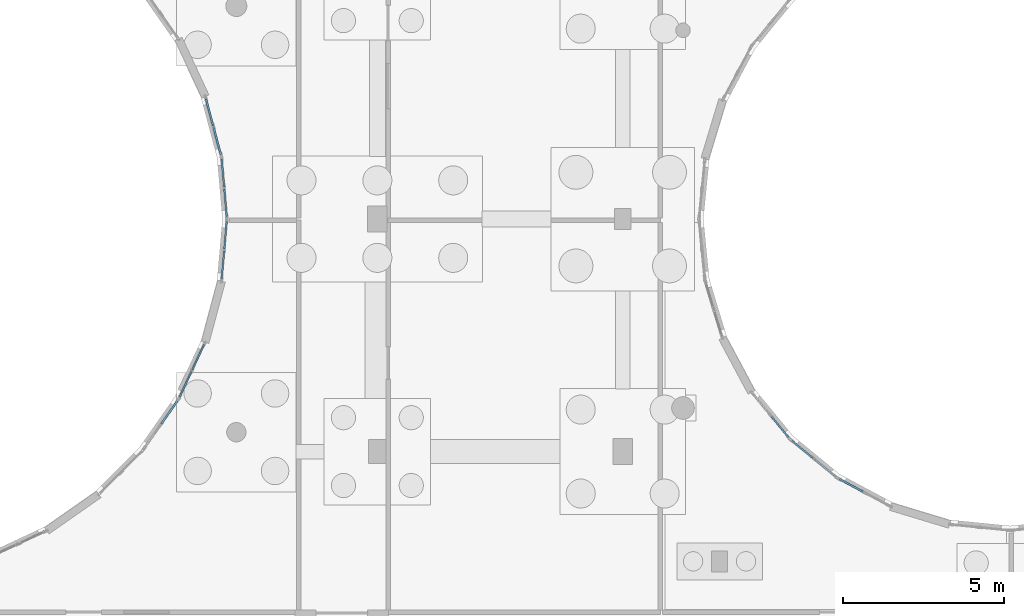
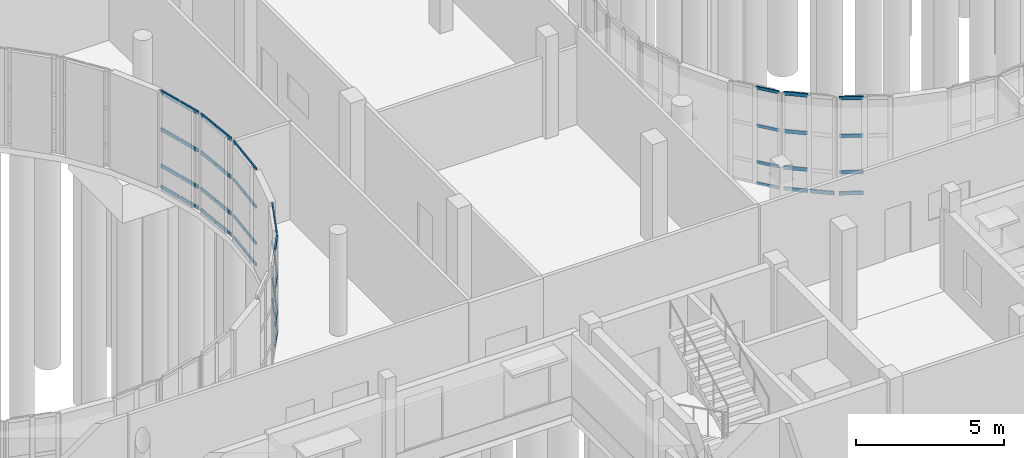
# One storey, part 41 of 93: 49 members, 8 elements without a shape of their own.
"""IFC4 building model written with IfcOpenShell, lengths in metres."""

from ifc_helpers import new_model, si_unit, direction, frame, origin, origin_2d, place, context, subcontext, project, spatial, hollow_rectangle, extrude, material, layer, layer_set, material_profile, profile_set, type_object, element, aggregate, save


model = new_model("IFC4")

# Units and contexts
model_context = context("Model", 3, precision=1e-05, world=origin(), true_north=direction((0.0, 1.0)))
body_context = subcontext(model_context, "Body", "Model", "MODEL_VIEW")
ifc_project = project(units=[si_unit("LENGTHUNIT", "METRE"), si_unit("AREAUNIT", "SQUARE_METRE"), si_unit("VOLUMEUNIT", "CUBIC_METRE"), si_unit("PLANEANGLEUNIT", "RADIAN"), si_unit("MASSUNIT", "GRAM", prefix="KILO")], contexts=[model_context])

# Site, building, storey
site_placement = place(None, origin())
site = spatial("IfcSite", under=ifc_project, at=site_placement, CompositionType="ELEMENT")
building_placement = place(site_placement, origin())
building = spatial("IfcBuilding", under=site, at=building_placement, Name="Kelanivale Promenade Academy", CompositionType="ELEMENT")
storey_placement = place(building_placement, origin())
storey = spatial("IfcBuildingStorey", under=building, at=storey_placement, Name="L00", CompositionType="ELEMENT", Elevation=0.0)

# Curtain wall, members
ifc_material_1 = material(Name="Bronze anodised aluminium and solar-control low-E glass", Category="aluminium")
ifc_layer_1 = layer(ifc_material_1, 0.169921875)
ifc_layer_set_1 = layer_set([ifc_layer_1], Name="Bronze anodised aluminium and solar-control low-E glass")
curtain_wall_type_1 = type_object("IfcCurtainWallType", Name="CW-01 Curtain Wall 1350mm Module", PredefinedType="USERDEFINED", material=ifc_layer_set_1)
curtain_wall_1_placement = place(storey_placement, origin())
curtain_wall_1 = element("IfcCurtainWall", 1, at=curtain_wall_1_placement, inside=storey, type_object=curtain_wall_type_1, Name="L00 courtyard curtain wall CW-01", ObjectType="UNITISED GLAZING", PredefinedType="USERDEFINED")
ifc_material_2 = material(Name="Bronze anodised aluminium EN AW-6063 T6", Category="aluminium")
ifc_material_profile_1 = material_profile(ifc_material_2, hollow_rectangle(XDim=0.050048828125, YDim=0.10009765625, WallThickness=0.0029296875, at=origin_2d()), Name="ALU 50x100x3.0")
ifc_profile_set_1 = profile_set([ifc_material_profile_1], Name="Bronze anodised aluminium EN AW-6063 T6")
member_type_1 = type_object("IfcMemberType", Name="CWT-01 ALU 50x100x3.0", PredefinedType="USERDEFINED", material=ifc_profile_set_1)
member_1_placement = place(storey_placement, frame((73.078369140625, 51.29541015625, 0.02490234375), z_axis=(0.423133693303, 0.906067258868, 0.0), x_axis=(-0.906067258868, 0.423133693303, 0.0)))
member_1 = element("IfcMember", 2, at=member_1_placement, type_object=member_type_1, Name="CW-01 transom 1.1", ObjectType="TRANSOM", PredefinedType="USERDEFINED", context=body_context, shape_type="SweptSolid", body=[
    extrude(hollow_rectangle(XDim=0.050048828125, YDim=0.10009765625, WallThickness=0.0029296875, at=origin_2d()), origin(), (0.0, 0.0, 1.0), 0.861328125),
])
member_2_placement = place(storey_placement, frame((73.078369140625, 51.29541015625, 0.89990234375), z_axis=(0.423133693303, 0.906067258868, 0.0), x_axis=(-0.906067258868, 0.423133693303, 0.0)))
member_2 = element("IfcMember", 3, at=member_2_placement, type_object=member_type_1, Name="CW-01 transom 1.2", ObjectType="TRANSOM", PredefinedType="USERDEFINED", context=body_context, shape_type="SweptSolid", body=[
    extrude(hollow_rectangle(XDim=0.050048828125, YDim=0.10009765625, WallThickness=0.0029296875, at=origin_2d()), origin(), (0.0, 0.0, 1.0), 0.861328125),
])
member_3_placement = place(storey_placement, frame((73.078369140625, 51.29541015625, 2.39990234375), z_axis=(0.423133693303, 0.906067258868, 0.0), x_axis=(-0.906067258868, 0.423133693303, 0.0)))
member_3 = element("IfcMember", 4, at=member_3_placement, type_object=member_type_1, Name="CW-01 transom 1.3", ObjectType="TRANSOM", PredefinedType="USERDEFINED", context=body_context, shape_type="SweptSolid", body=[
    extrude(hollow_rectangle(XDim=0.050048828125, YDim=0.10009765625, WallThickness=0.0029296875, at=origin_2d()), origin(), (0.0, 0.0, 1.0), 0.861328125),
])
member_4_placement = place(storey_placement, frame((73.078369140625, 51.29541015625, 3.955078125), z_axis=(0.423133693303, 0.906067258868, 0.0), x_axis=(-0.906067258868, 0.423133693303, 0.0)))
member_4 = element("IfcMember", 5, at=member_4_placement, type_object=member_type_1, Name="CW-01 transom 1.4", ObjectType="TRANSOM", PredefinedType="USERDEFINED", context=body_context, shape_type="SweptSolid", body=[
    extrude(hollow_rectangle(XDim=0.050048828125, YDim=0.10009765625, WallThickness=0.0029296875, at=origin_2d()), origin(), (0.0, 0.0, 1.0), 0.861328125),
])
member_5_placement = place(storey_placement, frame((73.46826171875, 52.130126953125, 0.02490234375), z_axis=(0.422900982369, 0.906175898549, 0.0), x_axis=(-0.906175898549, 0.422900982369, 0.0)))
member_5 = element("IfcMember", 6, at=member_5_placement, type_object=member_type_1, Name="CW-01 transom 2.1", ObjectType="TRANSOM", PredefinedType="USERDEFINED", context=body_context, shape_type="SweptSolid", body=[
    extrude(hollow_rectangle(XDim=0.050048828125, YDim=0.10009765625, WallThickness=0.0029296875, at=origin_2d()), origin(), (0.0, 0.0, 1.0), 0.861328125),
])
member_6_placement = place(storey_placement, frame((73.46826171875, 52.130126953125, 0.89990234375), z_axis=(0.422900982369, 0.906175898549, 0.0), x_axis=(-0.906175898549, 0.422900982369, 0.0)))
member_6 = element("IfcMember", 7, at=member_6_placement, type_object=member_type_1, Name="CW-01 transom 2.2", ObjectType="TRANSOM", PredefinedType="USERDEFINED", context=body_context, shape_type="SweptSolid", body=[
    extrude(hollow_rectangle(XDim=0.050048828125, YDim=0.10009765625, WallThickness=0.0029296875, at=origin_2d()), origin(), (0.0, 0.0, 1.0), 0.861328125),
])
member_7_placement = place(storey_placement, frame((73.46826171875, 52.130126953125, 2.39990234375), z_axis=(0.422900982369, 0.906175898549, 0.0), x_axis=(-0.906175898549, 0.422900982369, 0.0)))
member_7 = element("IfcMember", 8, at=member_7_placement, type_object=member_type_1, Name="CW-01 transom 2.3", ObjectType="TRANSOM", PredefinedType="USERDEFINED", context=body_context, shape_type="SweptSolid", body=[
    extrude(hollow_rectangle(XDim=0.050048828125, YDim=0.10009765625, WallThickness=0.0029296875, at=origin_2d()), origin(), (0.0, 0.0, 1.0), 0.861328125),
])
member_8_placement = place(storey_placement, frame((73.46826171875, 52.130126953125, 3.955078125), z_axis=(0.422900982369, 0.906175898549, 0.0), x_axis=(-0.906175898549, 0.422900982369, 0.0)))
member_8 = element("IfcMember", 9, at=member_8_placement, type_object=member_type_1, Name="CW-01 transom 2.4", ObjectType="TRANSOM", PredefinedType="USERDEFINED", context=body_context, shape_type="SweptSolid", body=[
    extrude(hollow_rectangle(XDim=0.050048828125, YDim=0.10009765625, WallThickness=0.0029296875, at=origin_2d()), origin(), (0.0, 0.0, 1.0), 0.861328125),
])
aggregate(curtain_wall_1, [member_1, member_2, member_3, member_4, member_5, member_6, member_7, member_8])

ifc_layer_2 = layer(ifc_material_1, 0.179931640625)
ifc_layer_set_2 = layer_set([ifc_layer_2], Name="Bronze anodised aluminium and solar-control low-E glass")
curtain_wall_type_2 = type_object("IfcCurtainWallType", Name="CW-14 Curtain Wall 1500mm Module", PredefinedType="USERDEFINED", material=ifc_layer_set_2)
curtain_wall_2_placement = place(storey_placement, origin())
curtain_wall_2 = element("IfcCurtainWall", 10, at=curtain_wall_2_placement, inside=storey, type_object=curtain_wall_type_2, Name="L00 courtyard curtain wall CW-14", ObjectType="COURTYARD SCREEN GLAZING", PredefinedType="USERDEFINED")
ifc_material_profile_2 = material_profile(ifc_material_2, hollow_rectangle(XDim=0.050048828125, YDim=0.1201171875, WallThickness=0.0029296875, at=origin_2d()), Name="ALU 50x120x3.0")
ifc_profile_set_2 = profile_set([ifc_material_profile_2], Name="Bronze anodised aluminium EN AW-6063 T6")
member_type_2 = type_object("IfcMemberType", Name="CWT-02 ALU 50x120x3.0", PredefinedType="USERDEFINED", material=ifc_profile_set_2)
member_9_placement = place(storey_placement, frame((91.407470703125, 50.683837890625, 0.02490234375), z_axis=(0.634114614295, -0.773239067778, 0.0), x_axis=(0.773239067778, 0.634114614295, 0.0)))
member_9 = element("IfcMember", 11, at=member_9_placement, type_object=member_type_2, Name="CW-14 transom 2.1", ObjectType="TRANSOM", PredefinedType="USERDEFINED", context=body_context, shape_type="SweptSolid", body=[
    extrude(hollow_rectangle(XDim=0.050048828125, YDim=0.1201171875, WallThickness=0.0029296875, at=origin_2d()), origin(), (0.0, 0.0, 1.0), 0.83349609375),
])
member_10_placement = place(storey_placement, frame((91.407470703125, 50.683837890625, 0.89990234375), z_axis=(0.634114614295, -0.773239067778, 0.0), x_axis=(0.773239067778, 0.634114614295, 0.0)))
member_10 = element("IfcMember", 12, at=member_10_placement, type_object=member_type_2, Name="CW-14 transom 2.2", ObjectType="TRANSOM", PredefinedType="USERDEFINED", context=body_context, shape_type="SweptSolid", body=[
    extrude(hollow_rectangle(XDim=0.050048828125, YDim=0.1201171875, WallThickness=0.0029296875, at=origin_2d()), origin(), (0.0, 0.0, 1.0), 0.83349609375),
])
member_11_placement = place(storey_placement, frame((91.407470703125, 50.683837890625, 2.39990234375), z_axis=(0.634114614295, -0.773239067778, 0.0), x_axis=(0.773239067778, 0.634114614295, 0.0)))
member_11 = element("IfcMember", 13, at=member_11_placement, type_object=member_type_2, Name="CW-14 transom 2.3", ObjectType="TRANSOM", PredefinedType="USERDEFINED", context=body_context, shape_type="SweptSolid", body=[
    extrude(hollow_rectangle(XDim=0.050048828125, YDim=0.1201171875, WallThickness=0.0029296875, at=origin_2d()), origin(), (0.0, 0.0, 1.0), 0.83349609375),
])
member_12_placement = place(storey_placement, frame((91.407470703125, 50.683837890625, 3.955078125), z_axis=(0.634114614295, -0.773239067778, 0.0), x_axis=(0.773239067778, 0.634114614295, 0.0)))
member_12 = element("IfcMember", 14, at=member_12_placement, type_object=member_type_2, Name="CW-14 transom 2.4", ObjectType="TRANSOM", PredefinedType="USERDEFINED", context=body_context, shape_type="SweptSolid", body=[
    extrude(hollow_rectangle(XDim=0.050048828125, YDim=0.1201171875, WallThickness=0.0029296875, at=origin_2d()), origin(), (0.0, 0.0, 1.0), 0.83349609375),
])
aggregate(curtain_wall_2, [member_9, member_10, member_11, member_12])

ifc_layer_3 = layer(ifc_material_1, 0.179931640625)
ifc_layer_set_3 = layer_set([ifc_layer_3], Name="Bronze anodised aluminium and solar-control low-E glass")
curtain_wall_type_3 = type_object("IfcCurtainWallType", Name="CW-02 Curtain Wall 1500mm Module", PredefinedType="USERDEFINED", material=ifc_layer_set_3)
curtain_wall_3_placement = place(storey_placement, origin())
curtain_wall_3 = element("IfcCurtainWall", 15, at=curtain_wall_3_placement, inside=storey, type_object=curtain_wall_type_3, Name="L00 courtyard curtain wall CW-02", ObjectType="UNITISED GLAZING", PredefinedType="USERDEFINED")
member_13_placement = place(storey_placement, frame((74.378173828125, 54.952880859375, 0.02490234375), z_axis=(0.087339315434, 0.996178620519, 0.0), x_axis=(-0.996178620519, 0.087339315434, 0.0)))
member_13 = element("IfcMember", 16, at=member_13_placement, type_object=member_type_2, Name="CW-02 transom 1.1", ObjectType="TRANSOM", PredefinedType="USERDEFINED", context=body_context, shape_type="SweptSolid", body=[
    extrude(hollow_rectangle(XDim=0.050048828125, YDim=0.1201171875, WallThickness=0.0029296875, at=origin_2d()), origin(), (0.0, 0.0, 1.0), 0.86083984375),
])
member_14_placement = place(storey_placement, frame((74.378173828125, 54.952880859375, 0.89990234375), z_axis=(0.087339315434, 0.996178620519, 0.0), x_axis=(-0.996178620519, 0.087339315434, 0.0)))
member_14 = element("IfcMember", 17, at=member_14_placement, type_object=member_type_2, Name="CW-02 transom 1.2", ObjectType="TRANSOM", PredefinedType="USERDEFINED", context=body_context, shape_type="SweptSolid", body=[
    extrude(hollow_rectangle(XDim=0.050048828125, YDim=0.1201171875, WallThickness=0.0029296875, at=origin_2d()), origin(), (0.0, 0.0, 1.0), 0.86083984375),
])
member_15_placement = place(storey_placement, frame((74.378173828125, 54.952880859375, 2.39990234375), z_axis=(0.087339315434, 0.996178620519, 0.0), x_axis=(-0.996178620519, 0.087339315434, 0.0)))
member_15 = element("IfcMember", 18, at=member_15_placement, type_object=member_type_2, Name="CW-02 transom 1.3", ObjectType="TRANSOM", PredefinedType="USERDEFINED", context=body_context, shape_type="SweptSolid", body=[
    extrude(hollow_rectangle(XDim=0.050048828125, YDim=0.1201171875, WallThickness=0.0029296875, at=origin_2d()), origin(), (0.0, 0.0, 1.0), 0.86083984375),
])
member_16_placement = place(storey_placement, frame((74.378173828125, 54.952880859375, 3.955078125), z_axis=(0.087339315434, 0.996178620519, 0.0), x_axis=(-0.996178620519, 0.087339315434, 0.0)))
member_16 = element("IfcMember", 19, at=member_16_placement, type_object=member_type_2, Name="CW-02 transom 1.4", ObjectType="TRANSOM", PredefinedType="USERDEFINED", context=body_context, shape_type="SweptSolid", body=[
    extrude(hollow_rectangle(XDim=0.050048828125, YDim=0.1201171875, WallThickness=0.0029296875, at=origin_2d()), origin(), (0.0, 0.0, 1.0), 0.86083984375),
])
member_17_placement = place(storey_placement, frame((74.45849609375, 55.870361328125, 0.02490234375), z_axis=(0.087314650278, 0.996180782713, 0.0), x_axis=(-0.996180782713, 0.087314650278, 0.0)))
member_17 = element("IfcMember", 20, at=member_17_placement, type_object=member_type_2, Name="CW-02 transom 2.1", ObjectType="TRANSOM", PredefinedType="USERDEFINED", context=body_context, shape_type="SweptSolid", body=[
    extrude(hollow_rectangle(XDim=0.050048828125, YDim=0.1201171875, WallThickness=0.0029296875, at=origin_2d()), origin(), (0.0, 0.0, 1.0), 0.861083984375),
])
member_18_placement = place(storey_placement, frame((74.45849609375, 55.870361328125, 0.89990234375), z_axis=(0.087314650278, 0.996180782713, 0.0), x_axis=(-0.996180782713, 0.087314650278, 0.0)))
member_18 = element("IfcMember", 21, at=member_18_placement, type_object=member_type_2, Name="CW-02 transom 2.2", ObjectType="TRANSOM", PredefinedType="USERDEFINED", context=body_context, shape_type="SweptSolid", body=[
    extrude(hollow_rectangle(XDim=0.050048828125, YDim=0.1201171875, WallThickness=0.0029296875, at=origin_2d()), origin(), (0.0, 0.0, 1.0), 0.861083984375),
])
member_19_placement = place(storey_placement, frame((74.45849609375, 55.870361328125, 2.39990234375), z_axis=(0.087314650278, 0.996180782713, 0.0), x_axis=(-0.996180782713, 0.087314650278, 0.0)))
member_19 = element("IfcMember", 22, at=member_19_placement, type_object=member_type_2, Name="CW-02 transom 2.3", ObjectType="TRANSOM", PredefinedType="USERDEFINED", context=body_context, shape_type="SweptSolid", body=[
    extrude(hollow_rectangle(XDim=0.050048828125, YDim=0.1201171875, WallThickness=0.0029296875, at=origin_2d()), origin(), (0.0, 0.0, 1.0), 0.861083984375),
])
member_20_placement = place(storey_placement, frame((74.45849609375, 55.870361328125, 3.955078125), z_axis=(0.087314650278, 0.996180782713, 0.0), x_axis=(-0.996180782713, 0.087314650278, 0.0)))
member_20 = element("IfcMember", 23, at=member_20_placement, type_object=member_type_2, Name="CW-02 transom 2.4", ObjectType="TRANSOM", PredefinedType="USERDEFINED", context=body_context, shape_type="SweptSolid", body=[
    extrude(hollow_rectangle(XDim=0.050048828125, YDim=0.1201171875, WallThickness=0.0029296875, at=origin_2d()), origin(), (0.0, 0.0, 1.0), 0.861083984375),
])
aggregate(curtain_wall_3, [member_13, member_14, member_15, member_16, member_17, member_18, member_19, member_20])

ifc_layer_4 = layer(ifc_material_1, 0.159912109375)
ifc_layer_set_4 = layer_set([ifc_layer_4], Name="Bronze anodised aluminium and solar-control low-E glass")
curtain_wall_type_4 = type_object("IfcCurtainWallType", Name="CW-15 Curtain Wall 1650mm Module", PredefinedType="USERDEFINED", material=ifc_layer_set_4)
curtain_wall_4_placement = place(storey_placement, origin())
curtain_wall_4 = element("IfcCurtainWall", 24, at=curtain_wall_4_placement, inside=storey, type_object=curtain_wall_type_4, Name="L00 courtyard curtain wall CW-15", ObjectType="COURTYARD SCREEN GLAZING", PredefinedType="USERDEFINED")
ifc_material_profile_3 = material_profile(ifc_material_2, hollow_rectangle(XDim=0.050048828125, YDim=0.14990234375, WallThickness=0.00341796875, at=origin_2d()), Name="ALU 50x150x3.5")
ifc_profile_set_3 = profile_set([ifc_material_profile_3], Name="Bronze anodised aluminium EN AW-6063 T6")
member_type_3 = type_object("IfcMemberType", Name="CWT-03 ALU 50x150x3.5", PredefinedType="USERDEFINED", material=ifc_profile_set_3)
member_21_placement = place(storey_placement, frame((92.043212890625, 49.932861328125, 0.02490234375), z_axis=(0.773213238462, -0.634146109242, 0.0), x_axis=(0.634146109242, 0.773213238462, 0.0)))
member_21 = element("IfcMember", 25, at=member_21_placement, type_object=member_type_3, Name="CW-15 transom 1.1", ObjectType="TRANSOM", PredefinedType="USERDEFINED", context=body_context, shape_type="SweptSolid", body=[
    extrude(hollow_rectangle(XDim=0.050048828125, YDim=0.14990234375, WallThickness=0.00341796875, at=origin_2d()), origin(), (0.0, 0.0, 1.0), 0.833984375),
])
member_22_placement = place(storey_placement, frame((92.043212890625, 49.932861328125, 0.89990234375), z_axis=(0.773213238462, -0.634146109242, 0.0), x_axis=(0.634146109242, 0.773213238462, 0.0)))
member_22 = element("IfcMember", 26, at=member_22_placement, type_object=member_type_3, Name="CW-15 transom 1.2", ObjectType="TRANSOM", PredefinedType="USERDEFINED", context=body_context, shape_type="SweptSolid", body=[
    extrude(hollow_rectangle(XDim=0.050048828125, YDim=0.14990234375, WallThickness=0.00341796875, at=origin_2d()), origin(), (0.0, 0.0, 1.0), 0.833984375),
])
member_23_placement = place(storey_placement, frame((92.043212890625, 49.932861328125, 2.39990234375), z_axis=(0.773213238462, -0.634146109242, 0.0), x_axis=(0.634146109242, 0.773213238462, 0.0)))
member_23 = element("IfcMember", 27, at=member_23_placement, type_object=member_type_3, Name="CW-15 transom 1.3", ObjectType="TRANSOM", PredefinedType="USERDEFINED", context=body_context, shape_type="SweptSolid", body=[
    extrude(hollow_rectangle(XDim=0.050048828125, YDim=0.14990234375, WallThickness=0.00341796875, at=origin_2d()), origin(), (0.0, 0.0, 1.0), 0.833984375),
])
member_24_placement = place(storey_placement, frame((92.043212890625, 49.932861328125, 3.955078125), z_axis=(0.773213238462, -0.634146109242, 0.0), x_axis=(0.634146109242, 0.773213238462, 0.0)))
member_24 = element("IfcMember", 28, at=member_24_placement, type_object=member_type_3, Name="CW-15 transom 1.4", ObjectType="TRANSOM", PredefinedType="USERDEFINED", context=body_context, shape_type="SweptSolid", body=[
    extrude(hollow_rectangle(XDim=0.050048828125, YDim=0.14990234375, WallThickness=0.00341796875, at=origin_2d()), origin(), (0.0, 0.0, 1.0), 0.833984375),
])
member_25_placement = place(storey_placement, frame((92.738037109375, 49.36279296875, 0.02490234375), z_axis=(0.773356800683, -0.633971023657, 0.0), x_axis=(0.633971023657, 0.773356800683, 0.0)))
member_25 = element("IfcMember", 29, at=member_25_placement, type_object=member_type_3, Name="CW-15 transom 2.1", ObjectType="TRANSOM", PredefinedType="USERDEFINED", context=body_context, shape_type="SweptSolid", body=[
    extrude(hollow_rectangle(XDim=0.050048828125, YDim=0.14990234375, WallThickness=0.00341796875, at=origin_2d()), origin(), (0.0, 0.0, 1.0), 0.833740234375),
])
aggregate(curtain_wall_4, [member_21, member_22, member_23, member_24, member_25])

ifc_layer_5 = layer(ifc_material_1, 0.159912109375)
ifc_layer_set_5 = layer_set([ifc_layer_5], Name="Bronze anodised aluminium and solar-control low-E glass")
curtain_wall_type_5 = type_object("IfcCurtainWallType", Name="CW-03 Curtain Wall 1650mm Module", PredefinedType="USERDEFINED", material=ifc_layer_set_5)
curtain_wall_5_placement = place(storey_placement, origin())
curtain_wall_5 = element("IfcCurtainWall", 30, at=curtain_wall_5_placement, inside=storey, type_object=curtain_wall_type_5, Name="L00 courtyard curtain wall CW-03", ObjectType="UNITISED GLAZING", PredefinedType="USERDEFINED")
member_26_placement = place(storey_placement, frame((74.533447265625, 56.876708984375, 0.02490234375), z_axis=(-0.087314650278, 0.996180782713, 0.0), x_axis=(-0.996180782713, -0.087314650278, 0.0)))
member_26 = element("IfcMember", 31, at=member_26_placement, type_object=member_type_3, Name="CW-03 transom 1.1", ObjectType="TRANSOM", PredefinedType="USERDEFINED", context=body_context, shape_type="SweptSolid", body=[
    extrude(hollow_rectangle(XDim=0.050048828125, YDim=0.14990234375, WallThickness=0.00341796875, at=origin_2d()), origin(), (0.0, 0.0, 1.0), 0.861083984375),
])
member_27_placement = place(storey_placement, frame((74.533447265625, 56.876708984375, 0.89990234375), z_axis=(-0.087314650278, 0.996180782713, 0.0), x_axis=(-0.996180782713, -0.087314650278, 0.0)))
member_27 = element("IfcMember", 32, at=member_27_placement, type_object=member_type_3, Name="CW-03 transom 1.2", ObjectType="TRANSOM", PredefinedType="USERDEFINED", context=body_context, shape_type="SweptSolid", body=[
    extrude(hollow_rectangle(XDim=0.050048828125, YDim=0.14990234375, WallThickness=0.00341796875, at=origin_2d()), origin(), (0.0, 0.0, 1.0), 0.861083984375),
])
member_28_placement = place(storey_placement, frame((74.533447265625, 56.876708984375, 2.39990234375), z_axis=(-0.087314650278, 0.996180782713, 0.0), x_axis=(-0.996180782713, -0.087314650278, 0.0)))
member_28 = element("IfcMember", 33, at=member_28_placement, type_object=member_type_3, Name="CW-03 transom 1.3", ObjectType="TRANSOM", PredefinedType="USERDEFINED", context=body_context, shape_type="SweptSolid", body=[
    extrude(hollow_rectangle(XDim=0.050048828125, YDim=0.14990234375, WallThickness=0.00341796875, at=origin_2d()), origin(), (0.0, 0.0, 1.0), 0.861083984375),
])
member_29_placement = place(storey_placement, frame((74.533447265625, 56.876708984375, 3.955078125), z_axis=(-0.087314650278, 0.996180782713, 0.0), x_axis=(-0.996180782713, -0.087314650278, 0.0)))
member_29 = element("IfcMember", 34, at=member_29_placement, type_object=member_type_3, Name="CW-03 transom 1.4", ObjectType="TRANSOM", PredefinedType="USERDEFINED", context=body_context, shape_type="SweptSolid", body=[
    extrude(hollow_rectangle(XDim=0.050048828125, YDim=0.14990234375, WallThickness=0.00341796875, at=origin_2d()), origin(), (0.0, 0.0, 1.0), 0.861083984375),
])
member_30_placement = place(storey_placement, frame((74.45263671875, 57.79931640625, 0.02490234375), z_axis=(-0.087033311997, 0.996205401814, 0.0), x_axis=(-0.996205401814, -0.087033311997, 0.0)))
member_30 = element("IfcMember", 35, at=member_30_placement, type_object=member_type_3, Name="CW-03 transom 2.1", ObjectType="TRANSOM", PredefinedType="USERDEFINED", context=body_context, shape_type="SweptSolid", body=[
    extrude(hollow_rectangle(XDim=0.050048828125, YDim=0.14990234375, WallThickness=0.00341796875, at=origin_2d()), origin(), (0.0, 0.0, 1.0), 0.861083984375),
])
member_31_placement = place(storey_placement, frame((74.45263671875, 57.79931640625, 0.89990234375), z_axis=(-0.087033311997, 0.996205401814, 0.0), x_axis=(-0.996205401814, -0.087033311997, 0.0)))
member_31 = element("IfcMember", 36, at=member_31_placement, type_object=member_type_3, Name="CW-03 transom 2.2", ObjectType="TRANSOM", PredefinedType="USERDEFINED", context=body_context, shape_type="SweptSolid", body=[
    extrude(hollow_rectangle(XDim=0.050048828125, YDim=0.14990234375, WallThickness=0.00341796875, at=origin_2d()), origin(), (0.0, 0.0, 1.0), 0.861083984375),
])
member_32_placement = place(storey_placement, frame((74.45263671875, 57.79931640625, 2.39990234375), z_axis=(-0.087033311997, 0.996205401814, 0.0), x_axis=(-0.996205401814, -0.087033311997, 0.0)))
member_32 = element("IfcMember", 37, at=member_32_placement, type_object=member_type_3, Name="CW-03 transom 2.3", ObjectType="TRANSOM", PredefinedType="USERDEFINED", context=body_context, shape_type="SweptSolid", body=[
    extrude(hollow_rectangle(XDim=0.050048828125, YDim=0.14990234375, WallThickness=0.00341796875, at=origin_2d()), origin(), (0.0, 0.0, 1.0), 0.861083984375),
])
member_33_placement = place(storey_placement, frame((74.45263671875, 57.79931640625, 3.955078125), z_axis=(-0.087033311997, 0.996205401814, 0.0), x_axis=(-0.996205401814, -0.087033311997, 0.0)))
member_33 = element("IfcMember", 38, at=member_33_placement, type_object=member_type_3, Name="CW-03 transom 2.4", ObjectType="TRANSOM", PredefinedType="USERDEFINED", context=body_context, shape_type="SweptSolid", body=[
    extrude(hollow_rectangle(XDim=0.050048828125, YDim=0.14990234375, WallThickness=0.00341796875, at=origin_2d()), origin(), (0.0, 0.0, 1.0), 0.861083984375),
])
aggregate(curtain_wall_5, [member_26, member_27, member_28, member_29, member_30, member_31, member_32, member_33])

ifc_layer_6 = layer(ifc_material_1, 0.169921875)
ifc_layer_set_6 = layer_set([ifc_layer_6], Name="Bronze anodised aluminium and solar-control low-E glass")
curtain_wall_type_6 = type_object("IfcCurtainWallType", Name="CW-16 Curtain Wall 1800mm Module", PredefinedType="USERDEFINED", material=ifc_layer_set_6)
curtain_wall_6_placement = place(storey_placement, origin())
curtain_wall_6 = element("IfcCurtainWall", 39, at=curtain_wall_6_placement, inside=storey, type_object=curtain_wall_type_6, Name="L00 courtyard curtain wall CW-16", ObjectType="COURTYARD SCREEN GLAZING", PredefinedType="USERDEFINED")
ifc_material_profile_4 = material_profile(ifc_material_2, hollow_rectangle(XDim=0.06005859375, YDim=0.139892578125, WallThickness=0.00341796875, at=origin_2d()), Name="ALU 60x140x3.5")
ifc_profile_set_4 = profile_set([ifc_material_profile_4], Name="Bronze anodised aluminium EN AW-6063 T6")
member_type_4 = type_object("IfcMemberType", Name="CWT-04 ALU 60x140x3.5", PredefinedType="USERDEFINED", material=ifc_profile_set_4)
member_34_placement = place(storey_placement, frame((93.513427734375, 48.747314453125, 0.030029296875), z_axis=(0.882050208669, -0.471155419567, 0.0), x_axis=(0.471155419567, 0.882050208669, 0.0)))
member_34 = element("IfcMember", 40, at=member_34_placement, type_object=member_type_4, Name="CW-16 transom 1.1", ObjectType="TRANSOM", PredefinedType="USERDEFINED", context=body_context, shape_type="SweptSolid", body=[
    extrude(hollow_rectangle(XDim=0.06005859375, YDim=0.139892578125, WallThickness=0.00341796875, at=origin_2d()), origin(), (0.0, 0.0, 1.0), 0.826416015625),
])
member_35_placement = place(storey_placement, frame((93.513427734375, 48.747314453125, 0.89990234375), z_axis=(0.882050208669, -0.471155419567, 0.0), x_axis=(0.471155419567, 0.882050208669, 0.0)))
member_35 = element("IfcMember", 41, at=member_35_placement, type_object=member_type_4, Name="CW-16 transom 1.2", ObjectType="TRANSOM", PredefinedType="USERDEFINED", context=body_context, shape_type="SweptSolid", body=[
    extrude(hollow_rectangle(XDim=0.06005859375, YDim=0.139892578125, WallThickness=0.00341796875, at=origin_2d()), origin(), (0.0, 0.0, 1.0), 0.826416015625),
])
member_36_placement = place(storey_placement, frame((93.513427734375, 48.747314453125, 2.39990234375), z_axis=(0.882050208669, -0.471155419567, 0.0), x_axis=(0.471155419567, 0.882050208669, 0.0)))
member_36 = element("IfcMember", 42, at=member_36_placement, type_object=member_type_4, Name="CW-16 transom 1.3", ObjectType="TRANSOM", PredefinedType="USERDEFINED", context=body_context, shape_type="SweptSolid", body=[
    extrude(hollow_rectangle(XDim=0.06005859375, YDim=0.139892578125, WallThickness=0.00341796875, at=origin_2d()), origin(), (0.0, 0.0, 1.0), 0.826416015625),
])
member_37_placement = place(storey_placement, frame((93.513427734375, 48.747314453125, 3.949951171875), z_axis=(0.882050208669, -0.471155419567, 0.0), x_axis=(0.471155419567, 0.882050208669, 0.0)))
member_37 = element("IfcMember", 43, at=member_37_placement, type_object=member_type_4, Name="CW-16 transom 1.4", ObjectType="TRANSOM", PredefinedType="USERDEFINED", context=body_context, shape_type="SweptSolid", body=[
    extrude(hollow_rectangle(XDim=0.06005859375, YDim=0.139892578125, WallThickness=0.00341796875, at=origin_2d()), origin(), (0.0, 0.0, 1.0), 0.826416015625),
])
aggregate(curtain_wall_6, [member_34, member_35, member_36, member_37])

ifc_layer_7 = layer(ifc_material_1, 0.159912109375)
ifc_layer_set_7 = layer_set([ifc_layer_7], Name="Bronze anodised aluminium and solar-control low-E glass")
curtain_wall_type_7 = type_object("IfcCurtainWallType", Name="CW-24 Curtain Wall 1200mm Module", PredefinedType="USERDEFINED", material=ifc_layer_set_7)
curtain_wall_7_placement = place(storey_placement, origin())
curtain_wall_7 = element("IfcCurtainWall", 44, at=curtain_wall_7_placement, inside=storey, type_object=curtain_wall_type_7, Name="L00 courtyard curtain wall CW-24", ObjectType="COURTYARD SCREEN GLAZING", PredefinedType="USERDEFINED")
member_38_placement = place(storey_placement, frame((72.509521484375, 50.461181640625, 0.030029296875), z_axis=(0.573652547141, 0.81909874567, 0.0), x_axis=(-0.81909874567, 0.573652547141, 0.0)))
member_38 = element("IfcMember", 45, at=member_38_placement, type_object=member_type_4, Name="CW-24 transom 2.1", ObjectType="TRANSOM", PredefinedType="USERDEFINED", context=body_context, shape_type="SweptSolid", body=[
    extrude(hollow_rectangle(XDim=0.06005859375, YDim=0.139892578125, WallThickness=0.00341796875, at=origin_2d()), origin(), (0.0, 0.0, 1.0), 0.861328125),
])
member_39_placement = place(storey_placement, frame((72.509521484375, 50.461181640625, 0.89990234375), z_axis=(0.573652547141, 0.81909874567, 0.0), x_axis=(-0.81909874567, 0.573652547141, 0.0)))
member_39 = element("IfcMember", 46, at=member_39_placement, type_object=member_type_4, Name="CW-24 transom 2.2", ObjectType="TRANSOM", PredefinedType="USERDEFINED", context=body_context, shape_type="SweptSolid", body=[
    extrude(hollow_rectangle(XDim=0.06005859375, YDim=0.139892578125, WallThickness=0.00341796875, at=origin_2d()), origin(), (0.0, 0.0, 1.0), 0.861328125),
])
member_40_placement = place(storey_placement, frame((72.509521484375, 50.461181640625, 2.39990234375), z_axis=(0.573652547141, 0.81909874567, 0.0), x_axis=(-0.81909874567, 0.573652547141, 0.0)))
member_40 = element("IfcMember", 47, at=member_40_placement, type_object=member_type_4, Name="CW-24 transom 2.3", ObjectType="TRANSOM", PredefinedType="USERDEFINED", context=body_context, shape_type="SweptSolid", body=[
    extrude(hollow_rectangle(XDim=0.06005859375, YDim=0.139892578125, WallThickness=0.00341796875, at=origin_2d()), origin(), (0.0, 0.0, 1.0), 0.861328125),
])
member_41_placement = place(storey_placement, frame((72.509521484375, 50.461181640625, 3.949951171875), z_axis=(0.573652547141, 0.81909874567, 0.0), x_axis=(-0.81909874567, 0.573652547141, 0.0)))
member_41 = element("IfcMember", 48, at=member_41_placement, type_object=member_type_4, Name="CW-24 transom 2.4", ObjectType="TRANSOM", PredefinedType="USERDEFINED", context=body_context, shape_type="SweptSolid", body=[
    extrude(hollow_rectangle(XDim=0.06005859375, YDim=0.139892578125, WallThickness=0.00341796875, at=origin_2d()), origin(), (0.0, 0.0, 1.0), 0.861328125),
])
aggregate(curtain_wall_7, [member_38, member_39, member_40, member_41])

ifc_layer_8 = layer(ifc_material_1, 0.169921875)
ifc_layer_set_8 = layer_set([ifc_layer_8], Name="Bronze anodised aluminium and solar-control low-E glass")
curtain_wall_type_8 = type_object("IfcCurtainWallType", Name="CW-04 Curtain Wall 1800mm Module", PredefinedType="USERDEFINED", material=ifc_layer_set_8)
curtain_wall_8_placement = place(storey_placement, origin())
curtain_wall_8 = element("IfcCurtainWall", 49, at=curtain_wall_8_placement, inside=storey, type_object=curtain_wall_type_8, Name="L00 courtyard curtain wall CW-04", ObjectType="UNITISED GLAZING", PredefinedType="USERDEFINED")
member_42_placement = place(storey_placement, frame((74.35107421875, 58.808837890625, 0.030029296875), z_axis=(-0.258516900111, 0.966006735151, 0.0), x_axis=(-0.966006735151, -0.258516900111, 0.0)))
member_42 = element("IfcMember", 50, at=member_42_placement, type_object=member_type_4, Name="CW-04 transom 1.1", ObjectType="TRANSOM", PredefinedType="USERDEFINED", context=body_context, shape_type="SweptSolid", body=[
    extrude(hollow_rectangle(XDim=0.06005859375, YDim=0.139892578125, WallThickness=0.00341796875, at=origin_2d()), origin(), (0.0, 0.0, 1.0), 0.853759765625),
])
member_43_placement = place(storey_placement, frame((74.35107421875, 58.808837890625, 0.89990234375), z_axis=(-0.258516900111, 0.966006735151, 0.0), x_axis=(-0.966006735151, -0.258516900111, 0.0)))
member_43 = element("IfcMember", 51, at=member_43_placement, type_object=member_type_4, Name="CW-04 transom 1.2", ObjectType="TRANSOM", PredefinedType="USERDEFINED", context=body_context, shape_type="SweptSolid", body=[
    extrude(hollow_rectangle(XDim=0.06005859375, YDim=0.139892578125, WallThickness=0.00341796875, at=origin_2d()), origin(), (0.0, 0.0, 1.0), 0.853759765625),
])
member_44_placement = place(storey_placement, frame((74.35107421875, 58.808837890625, 2.39990234375), z_axis=(-0.258516900111, 0.966006735151, 0.0), x_axis=(-0.966006735151, -0.258516900111, 0.0)))
member_44 = element("IfcMember", 52, at=member_44_placement, type_object=member_type_4, Name="CW-04 transom 1.3", ObjectType="TRANSOM", PredefinedType="USERDEFINED", context=body_context, shape_type="SweptSolid", body=[
    extrude(hollow_rectangle(XDim=0.06005859375, YDim=0.139892578125, WallThickness=0.00341796875, at=origin_2d()), origin(), (0.0, 0.0, 1.0), 0.853759765625),
])
member_45_placement = place(storey_placement, frame((74.35107421875, 58.808837890625, 3.949951171875), z_axis=(-0.258516900111, 0.966006735151, 0.0), x_axis=(-0.966006735151, -0.258516900111, 0.0)))
member_45 = element("IfcMember", 53, at=member_45_placement, type_object=member_type_4, Name="CW-04 transom 1.4", ObjectType="TRANSOM", PredefinedType="USERDEFINED", context=body_context, shape_type="SweptSolid", body=[
    extrude(hollow_rectangle(XDim=0.06005859375, YDim=0.139892578125, WallThickness=0.00341796875, at=origin_2d()), origin(), (0.0, 0.0, 1.0), 0.853759765625),
])
member_46_placement = place(storey_placement, frame((74.113525390625, 59.6962890625, 0.030029296875), z_axis=(-0.258445504102, 0.966025838893, 0.0), x_axis=(-0.966025838893, -0.258445504102, 0.0)))
member_46 = element("IfcMember", 54, at=member_46_placement, type_object=member_type_4, Name="CW-04 transom 2.1", ObjectType="TRANSOM", PredefinedType="USERDEFINED", context=body_context, shape_type="SweptSolid", body=[
    extrude(hollow_rectangle(XDim=0.06005859375, YDim=0.139892578125, WallThickness=0.00341796875, at=origin_2d()), origin(), (0.0, 0.0, 1.0), 0.85400390625),
])
member_47_placement = place(storey_placement, frame((74.113525390625, 59.6962890625, 0.89990234375), z_axis=(-0.258445504102, 0.966025838893, 0.0), x_axis=(-0.966025838893, -0.258445504102, 0.0)))
member_47 = element("IfcMember", 55, at=member_47_placement, type_object=member_type_4, Name="CW-04 transom 2.2", ObjectType="TRANSOM", PredefinedType="USERDEFINED", context=body_context, shape_type="SweptSolid", body=[
    extrude(hollow_rectangle(XDim=0.06005859375, YDim=0.139892578125, WallThickness=0.00341796875, at=origin_2d()), origin(), (0.0, 0.0, 1.0), 0.85400390625),
])
member_48_placement = place(storey_placement, frame((74.113525390625, 59.6962890625, 2.39990234375), z_axis=(-0.258445504102, 0.966025838893, 0.0), x_axis=(-0.966025838893, -0.258445504102, 0.0)))
member_48 = element("IfcMember", 56, at=member_48_placement, type_object=member_type_4, Name="CW-04 transom 2.3", ObjectType="TRANSOM", PredefinedType="USERDEFINED", context=body_context, shape_type="SweptSolid", body=[
    extrude(hollow_rectangle(XDim=0.06005859375, YDim=0.139892578125, WallThickness=0.00341796875, at=origin_2d()), origin(), (0.0, 0.0, 1.0), 0.85400390625),
])
member_49_placement = place(storey_placement, frame((74.113525390625, 59.6962890625, 3.949951171875), z_axis=(-0.258445504102, 0.966025838893, 0.0), x_axis=(-0.966025838893, -0.258445504102, 0.0)))
member_49 = element("IfcMember", 57, at=member_49_placement, type_object=member_type_4, Name="CW-04 transom 2.4", ObjectType="TRANSOM", PredefinedType="USERDEFINED", context=body_context, shape_type="SweptSolid", body=[
    extrude(hollow_rectangle(XDim=0.06005859375, YDim=0.139892578125, WallThickness=0.00341796875, at=origin_2d()), origin(), (0.0, 0.0, 1.0), 0.85400390625),
])
aggregate(curtain_wall_8, [member_42, member_43, member_44, member_45, member_46, member_47, member_48, member_49])

save(model, "model.ifc")
